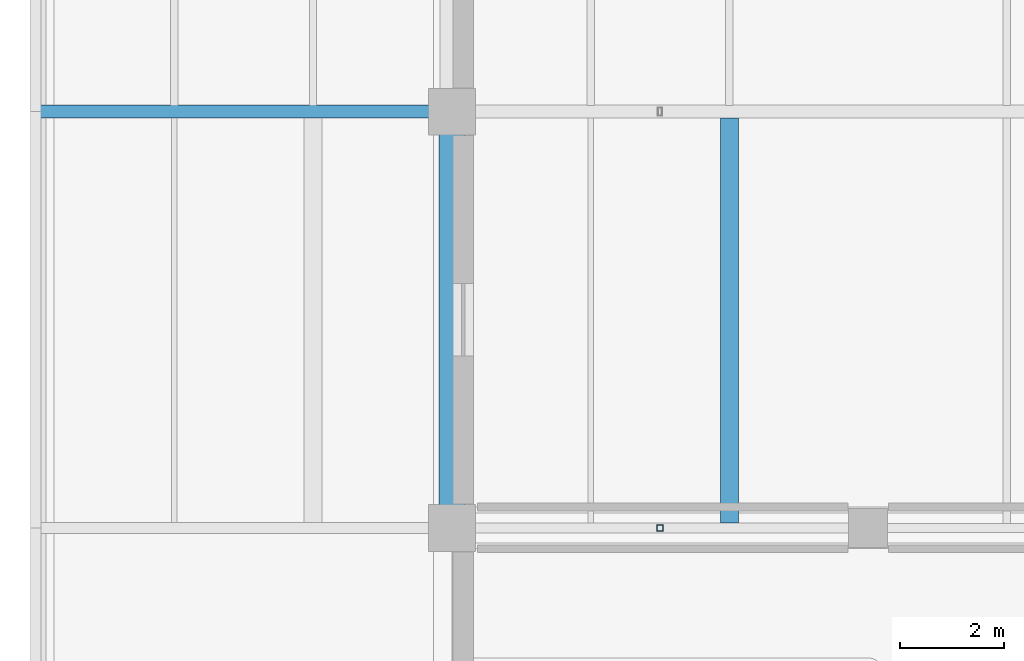
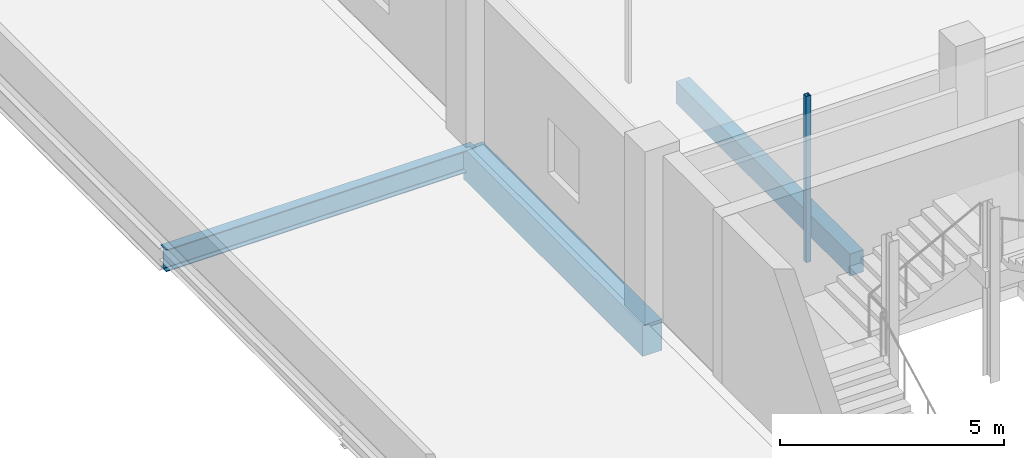
# One storey, part 14 of 127: 3 beams, 1 member.
"""IFC4 building model written with IfcOpenShell, lengths in metres."""

from ifc_helpers import new_model, si_unit, derived_unit, direction, frame, origin, origin_2d, place, context, subcontext, project, spatial, rectangle, hollow_rectangle, i_section, extrude, material, material_profile, profile_set, type_object, element, save


model = new_model("IFC4")

# Units and contexts
model_context = context("Model", 3, precision=1e-05, world=origin(), true_north=direction((0.0, 1.0)))
body_context = subcontext(model_context, "Body", "Model", "MODEL_VIEW")
ifc_project = project(units=[si_unit("LENGTHUNIT", "METRE"), si_unit("AREAUNIT", "SQUARE_METRE"), si_unit("VOLUMEUNIT", "CUBIC_METRE"), si_unit("PLANEANGLEUNIT", "RADIAN"), si_unit("MASSUNIT", "GRAM", prefix="KILO"), derived_unit("THERMALTRANSMITTANCEUNIT", [(si_unit("POWERUNIT", "WATT"), 1), (si_unit("LENGTHUNIT", "METRE"), -2), (si_unit("THERMODYNAMICTEMPERATUREUNIT", "KELVIN"), -1)])], contexts=[model_context])

# Site, building, storey
site_placement = place(None, origin())
site = spatial("IfcSite", under=ifc_project, at=site_placement, CompositionType="ELEMENT")
building_placement = place(site_placement, origin())
building = spatial("IfcBuilding", under=site, at=building_placement, Name="Nallur Shell Playhouse", CompositionType="ELEMENT")
storey_placement = place(building_placement, frame((0.0, 0.0, 5.39990234375)))
storey = spatial("IfcBuildingStorey", under=building, at=storey_placement, Name="L02", CompositionType="ELEMENT", Elevation=5.39990234375)

# Beams
ifc_material_1 = material(Name="Concrete M30", Category="concrete")
ifc_material_profile_1 = material_profile(ifc_material_1, rectangle(XDim=0.35009765625, YDim=0.60009765625, at=origin_2d()), Name="RC 350x600")
ifc_profile_set_1 = profile_set([ifc_material_profile_1], Name="Concrete M30")
beam_type_1 = type_object("IfcBeamType", Name="BM-RC-350x600", PredefinedType="JOIST", material=ifc_profile_set_1)
beam_1_placement = place(storey_placement, frame((21.333251953125, 24.093017578125, -0.579833984375), z_axis=(0.0, 1.0, 0.0), x_axis=(-1.0, 0.0, 0.0)))
element("IfcBeam", 1, at=beam_1_placement, inside=storey, type_object=beam_type_1, Name="L02 secondary joist 2-C-486", PredefinedType="JOIST", context=body_context, shape_type="SweptSolid", body=[
    extrude(rectangle(XDim=0.35009765625, YDim=0.60009765625, at=origin_2d()), origin(), (0.0, 0.0, 1.0), 7.783935546875),
])
ifc_material_2 = material(Name="Concrete M40", Category="concrete")
ifc_material_profile_2 = material_profile(ifc_material_2, rectangle(XDim=0.5, YDim=0.85009765625, at=origin_2d()), Name="RC 500x850")
ifc_profile_set_2 = profile_set([ifc_material_profile_2], Name="Concrete M40")
beam_type_2 = type_object("IfcBeamType", Name="BM-RC-500x850", PredefinedType="BEAM", material=ifc_profile_set_2)
beam_2_placement = place(storey_placement, frame((16.0, 24.0, -0.704833984375), z_axis=(0.0, 1.0, 0.0), x_axis=(-1.0, 0.0, 0.0)))
element("IfcBeam", 2, at=beam_2_placement, inside=storey, type_object=beam_type_2, Name="L02 girder Y-2-397", PredefinedType="BEAM", context=body_context, shape_type="SweptSolid", body=[
    extrude(rectangle(XDim=0.5, YDim=0.85009765625, at=origin_2d()), origin(), (0.0, 0.0, 1.0), 8.0),
])
ifc_material_3 = material(Name="Steel E350", Category="steel")
ifc_material_profile_3 = material_profile(ifc_material_3, i_section(OverallWidth=0.25, OverallDepth=0.60009765625, WebThickness=0.01171875, FlangeThickness=0.023681640625, FilletRadius=0.01708984375, at=origin_2d()), Name="ISWB 600")
ifc_profile_set_3 = profile_set([ifc_material_profile_3], Name="Steel E350")
beam_type_3 = type_object("IfcBeamType", Name="BM-ST-ISWB600", PredefinedType="BEAM", material=ifc_profile_set_3)
beam_3_placement = place(storey_placement, frame((8.0, 32.0, -0.579833984375), z_axis=(1.0, 0.0, 0.0), x_axis=(0.0, 1.0, 0.0)))
element("IfcBeam", 3, at=beam_3_placement, inside=storey, type_object=beam_type_3, Name="L02 girder X-D-337", PredefinedType="BEAM", context=body_context, shape_type="SweptSolid", body=[
    extrude(i_section(OverallWidth=0.25, OverallDepth=0.60009765625, WebThickness=0.01171875, FlangeThickness=0.023681640625, FilletRadius=0.01708984375, at=origin_2d()), origin(), (0.0, 0.0, 1.0), 8.0),
])

# Member
ifc_material_4 = material(Name="Steel E250", Category="steel")
ifc_material_profile_4 = material_profile(ifc_material_4, hollow_rectangle(XDim=0.1201171875, YDim=0.1201171875, WallThickness=0.006103515625, at=origin_2d()), Name="SHS 120x120x6")
ifc_profile_set_4 = profile_set([ifc_material_profile_4], Name="Steel E250")
member_type = type_object("IfcMemberType", Name="MB-STUD-SHS120", PredefinedType="STUD", material=ifc_profile_set_4)
member_placement = place(storey_placement, frame((20.0, 24.0, 0.0), z_axis=(0.0, 0.0, 1.0), x_axis=(1.0, 0.0, 0.0)))
element("IfcMember", 4, at=member_placement, inside=storey, type_object=member_type, Name="L02 acoustic isolation wall stud 07", PredefinedType="STUD", context=body_context, shape_type="SweptSolid", body=[
    extrude(hollow_rectangle(XDim=0.1201171875, YDim=0.1201171875, WallThickness=0.006103515625, at=origin_2d()), origin(), (0.0, 0.0, 1.0), 4.5400390625),
])

save(model, "model.ifc")
